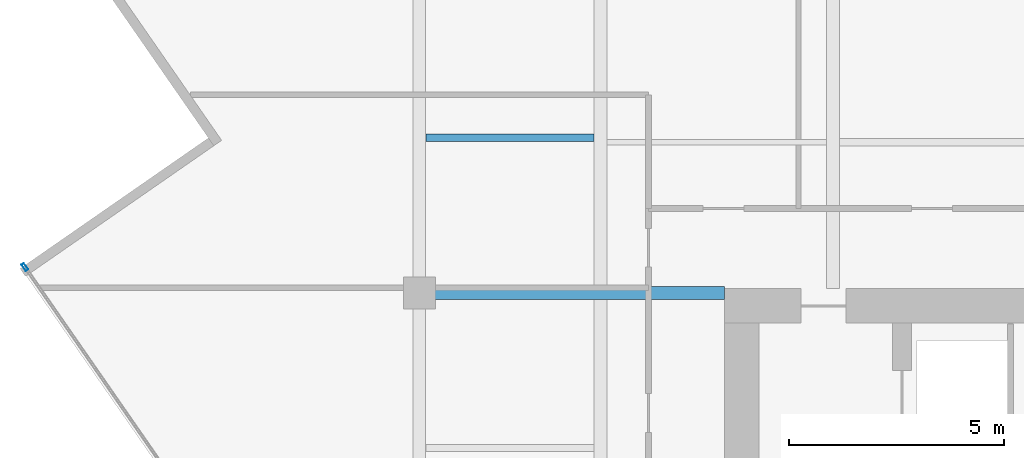
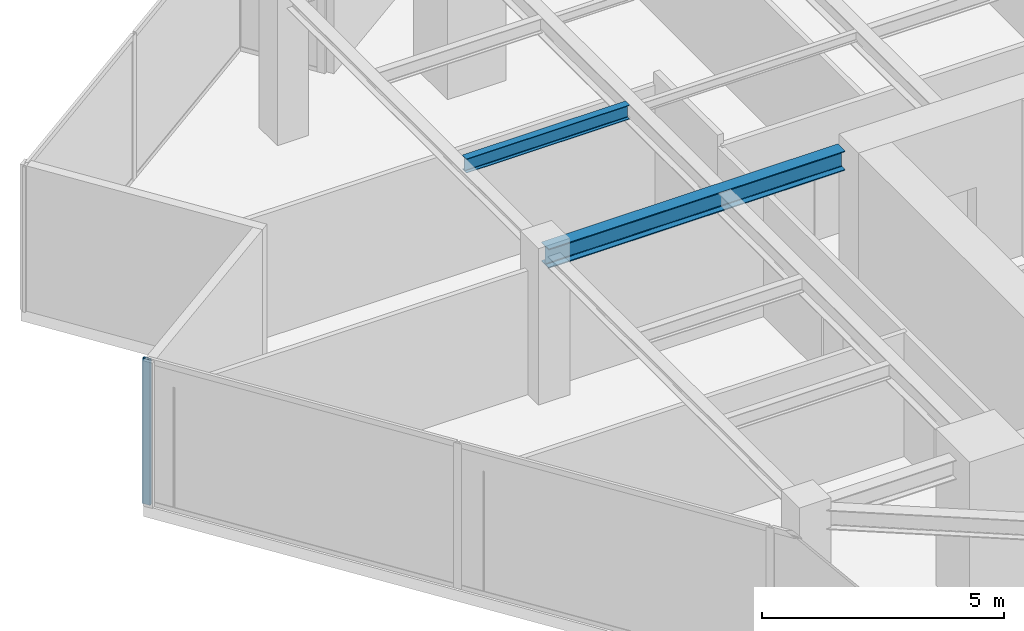
# One storey, part 6 of 21: 2 beams, 1 member, 1 element without a shape of its own.
"""IFC4 building model written with IfcOpenShell, lengths in metres."""

from ifc_helpers import new_model, si_unit, direction, frame, origin, origin_2d, place, context, subcontext, project, spatial, hollow_rectangle, i_section, extrude, source, transform, mapped, material, material_profile, profile_set, type_object, type_shapes, element, aggregate, save


model = new_model("IFC4")

# Units and contexts
model_context = context("Model", 3, precision=1e-05, world=origin(), true_north=direction((0.0, 1.0)))
body_context = subcontext(model_context, "Body", "Model", "MODEL_VIEW")
ifc_project = project(units=[si_unit("LENGTHUNIT", "METRE"), si_unit("AREAUNIT", "SQUARE_METRE"), si_unit("VOLUMEUNIT", "CUBIC_METRE"), si_unit("PLANEANGLEUNIT", "RADIAN"), si_unit("MASSUNIT", "GRAM", prefix="KILO")], contexts=[model_context])

# Site, building, storey
site_placement = place(None, origin())
site = spatial("IfcSite", under=ifc_project, at=site_placement, CompositionType="ELEMENT")
building_placement = place(site_placement, origin())
building = spatial("IfcBuilding", under=site, at=building_placement, Name="Krantzveldt Concourse Tower", CompositionType="ELEMENT")
storey_placement = place(building_placement, frame((0.0, 0.0, 279.25)))
storey = spatial("IfcBuildingStorey", under=building, at=storey_placement, Name="L68", CompositionType="ELEMENT", Elevation=279.25)

# Beams
ifc_material_1 = material(Name="Steel S355JR", Category="steel")
ifc_material_profile_1 = material_profile(ifc_material_1, i_section(OverallWidth=0.300048828125, OverallDepth=0.489990234375, WebThickness=0.011962890625, FlangeThickness=0.02294921875, FilletRadius=0.027099609375, at=origin_2d()), Name="Steel S355JR", Category="steel")
ifc_profile_set_1 = profile_set([ifc_material_profile_1], Name="Steel S355JR - HEA 500")
beam_type_1 = type_object("IfcBeamType", Name="BM-B-HEA500", PredefinedType="BEAM", material=ifc_profile_set_1)
shared_shape_1 = source(origin(), body_context, "Body", "SweptSolid", [
    extrude(i_section(OverallWidth=0.300048828125, OverallDepth=0.489990234375, WebThickness=0.011962890625, FlangeThickness=0.02294921875, FilletRadius=0.027099609375, at=origin_2d()), origin(), (0.0, 0.0, 1.0), 7.080078125),
])
type_shapes(beam_type_1, [shared_shape_1])
beam_1_placement = place(storey_placement, frame((21.0, 26.699951171875, 3.425048828125), z_axis=(1.0, 0.0, 0.0), x_axis=(0.0, 1.0, 0.0)))
element("IfcBeam", 1, at=beam_1_placement, inside=storey, type_object=beam_type_1, Name="L68 Tower Girder BG-CW2", PredefinedType="BEAM", context=body_context, shape_type="MappedRepresentation", body=[
    mapped(shared_shape_1, transform((0.0, 0.0, 0.0), x_axis=(1.0, 0.0, 0.0), y_axis=(0.0, 1.0, 0.0), z_axis=(0.0, 0.0, 1.0), scale=1.0)),
])
ifc_material_profile_2 = material_profile(ifc_material_1, i_section(OverallWidth=0.169921875, OverallDepth=0.360107421875, WebThickness=0.008056640625, FlangeThickness=0.0126953125, FilletRadius=0.01806640625, at=origin_2d()), Name="Steel S355JR", Category="steel")
ifc_profile_set_2 = profile_set([ifc_material_profile_2], Name="Steel S355JR - IPE 360")
beam_type_2 = type_object("IfcBeamType", Name="BM-J-IPE360", PredefinedType="JOIST", material=ifc_profile_set_2)
shared_shape_2 = source(origin(), body_context, "Body", "SweptSolid", [
    extrude(i_section(OverallWidth=0.169921875, OverallDepth=0.360107421875, WebThickness=0.008056640625, FlangeThickness=0.0126953125, FilletRadius=0.01806640625, at=origin_2d()), origin(), (0.0, 0.0, 1.0), 3.900146484375),
])
type_shapes(beam_type_2, [shared_shape_2])
beam_2_placement = place(storey_placement, frame((21.14990234375, 30.300048828125, 3.489990234375), z_axis=(1.0, 0.0, 0.0), x_axis=(0.0, 1.0, 0.0)))
element("IfcBeam", 2, at=beam_2_placement, inside=storey, type_object=beam_type_2, Name="L68 Secondary Floor Joist JW-3", PredefinedType="JOIST", context=body_context, shape_type="MappedRepresentation", body=[
    mapped(shared_shape_2, transform((0.0, 0.0, 0.0), x_axis=(1.0, 0.0, 0.0), y_axis=(0.0, 1.0, 0.0), z_axis=(0.0, 0.0, 1.0), scale=1.0)),
])

# Curtain wall, member
ifc_material_2 = material(Name="Anodised aluminium 6063-T6", Category="aluminium")
curtain_wall_type = type_object("IfcCurtainWallType", Name="CW4", PredefinedType="USERDEFINED", material=ifc_material_2)
curtain_wall_placement = place(storey_placement, origin())
curtain_wall = element("IfcCurtainWall", 3, at=curtain_wall_placement, inside=storey, type_object=curtain_wall_type, Name="CW-L68-F08", ObjectType="UNITISED CURTAIN WALL", PredefinedType="USERDEFINED")
ifc_material_profile_3 = material_profile(ifc_material_2, hollow_rectangle(XDim=0.070068359375, YDim=0.179931640625, WallThickness=0.0048828125, at=origin_2d()), Name="Anodised aluminium 6063-T6", Category="aluminium")
ifc_profile_set_3 = profile_set([ifc_material_profile_3], Name="Anodised aluminium 6063-T6 - ALU-MULL 180x70x5")
member_type = type_object("IfcMemberType", Name="CW-MUL-180", PredefinedType="MULLION", material=ifc_profile_set_3)
shared_shape_3 = source(origin(), body_context, "Body", "SweptSolid", [
    extrude(hollow_rectangle(XDim=0.070068359375, YDim=0.179931640625, WallThickness=0.0048828125, at=origin_2d()), origin(), (0.0, 0.0, 1.0), 3.669921875),
])
type_shapes(member_type, [shared_shape_3])
member_placement = place(storey_placement, frame((11.838623046875, 27.300048828125, 0.0), z_axis=(0.0, 0.0, 1.0), x_axis=(0.821647031735, 0.569996627395, 0.0)))
member = element("IfcMember", 4, at=member_placement, type_object=member_type, Name="CW-Z56 mullion 1", PredefinedType="MULLION", context=body_context, shape_type="MappedRepresentation", body=[
    mapped(shared_shape_3, transform((0.0, 0.0, 0.0), x_axis=(1.0, 0.0, 0.0), y_axis=(0.0, 1.0, 0.0), z_axis=(0.0, 0.0, 1.0), scale=1.0)),
])
aggregate(curtain_wall, [member])

save(model, "model.ifc")
